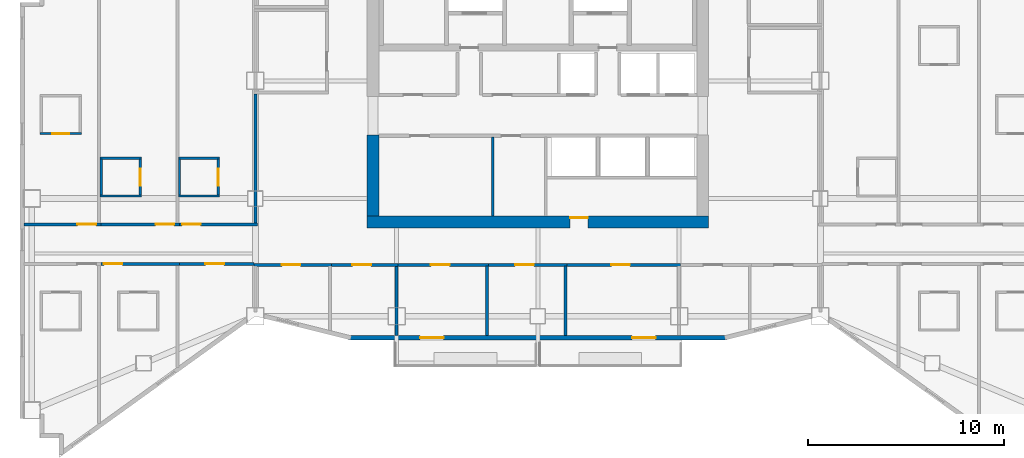
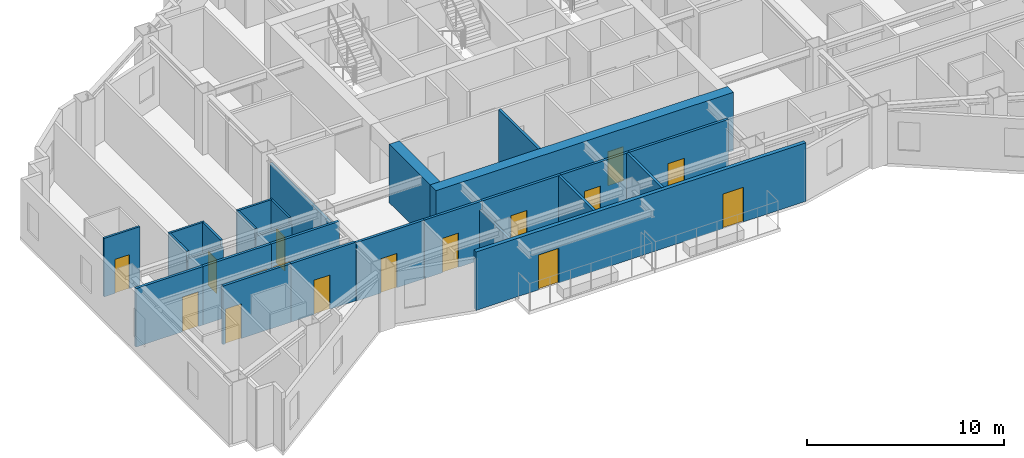
# One storey, part 5 of 11: 27 walls, 16 doors, 16 openings.
"""IFC4 building model written with IfcOpenShell, lengths in metres."""

import ifcopenshell
import ifcopenshell.guid

model = None  # the IFC model being written
_history = None  # IfcOwnerHistory: only IFC2X3 demands one
_inside = {}  # id of a spatial element -> (the spatial element, [elements in it])
_under = {}  # id of a project, library or spatial element -> (it, [spatial elements below it])
_declared = {}  # id of a project -> (the project, [libraries it declares])
_typed = {}  # id of a type object -> (the type object, [elements of that type])
_made_of = {}  # id of a material, layer set ... -> (it, [elements and type objects made of it])


def new_model(schema):
    """Start an empty IFC model of exactly this schema.

    Asked for "IFC4X3", IfcOpenShell would pick the latest addendum, in which some entities
    have other attributes; the version numbers below select the first issue.
    IFC2X3 requires an IfcOwnerHistory on every rooted entity: one is made here for all.
    """
    global model, _history
    if schema == "IFC4X3":
        model = ifcopenshell.file(schema_version=(4, 3, 0, 0))
    else:
        model = ifcopenshell.file(schema=schema)
    _inside.clear()
    _under.clear()
    _declared.clear()
    _typed.clear()
    _made_of.clear()
    _history = None
    if model.schema == "IFC2X3":
        org = make("IfcOrganization", Name="unknown")
        user = make(
            "IfcPersonAndOrganization",
            ThePerson=make("IfcPerson", FamilyName="unknown"),
            TheOrganization=org,
        )
        app = make(
            "IfcApplication",
            ApplicationDeveloper=org,
            Version="unknown",
            ApplicationFullName="unknown",
            ApplicationIdentifier="unknown",
        )
        _history = make(
            "IfcOwnerHistory",
            OwningUser=user,
            OwningApplication=app,
            ChangeAction="ADDED",
            CreationDate=0,
        )
    return model


def make(cls, **values):
    """One entity of the class cls with the attributes given. An attribute that is None is left unset."""
    return model.create_entity(
        cls, **{name: value for name, value in values.items() if value is not None}
    )


def rooted(cls, **values):
    """An entity with a GlobalId (a new one), such as an element, a storey or a relation."""
    return make(cls, GlobalId=ifcopenshell.guid.new(), OwnerHistory=_history, **values)


def si_unit(unit_type, name, prefix=None):
    """IfcSIUnit, for example si_unit("LENGTHUNIT", "METRE", prefix="MILLI")."""
    return make("IfcSIUnit", UnitType=unit_type, Prefix=prefix, Name=name)


def assignment(units):
    """IfcUnitAssignment: the units of a project."""
    return None if units is None else make("IfcUnitAssignment", Units=units)


def point(xyz):
    """IfcCartesianPoint."""
    return None if xyz is None else make("IfcCartesianPoint", Coordinates=xyz)


def direction(xyz):
    """IfcDirection."""
    return None if xyz is None else make("IfcDirection", DirectionRatios=xyz)


def frame(location, z_axis=None, x_axis=None):
    """IfcAxis2Placement3D, a coordinate frame: its origin and axes. An axis left out is left unset."""
    return make(
        "IfcAxis2Placement3D",
        Location=point(location),
        Axis=direction(z_axis),
        RefDirection=direction(x_axis),
    )


def frame_2d(location, x_axis=None):
    """IfcAxis2Placement2D, a coordinate frame in the plane: its origin and x axis."""
    return make(
        "IfcAxis2Placement2D", Location=point(location), RefDirection=direction(x_axis)
    )


def origin():
    """The frame at (0, 0, 0) with its axes left unset."""
    return frame((0.0, 0.0, 0.0))


def place(relative_to, where):
    """IfcLocalPlacement: puts the frame where relative to a parent placement (None: the world)."""
    return make(
        "IfcLocalPlacement", PlacementRelTo=relative_to, RelativePlacement=where
    )


def context(
    kind, dimensions, precision=None, world=None, true_north=None, identifier=None
):
    """IfcGeometricRepresentationContext, for example the 3D "Model" context."""
    return make(
        "IfcGeometricRepresentationContext",
        ContextIdentifier=identifier,
        ContextType=kind,
        CoordinateSpaceDimension=dimensions,
        Precision=precision,
        WorldCoordinateSystem=world,
        TrueNorth=true_north,
    )


def subcontext(parent, identifier, kind, view, scale=None):
    """IfcGeometricRepresentationSubContext, for example "Body" below "Model"."""
    return make(
        "IfcGeometricRepresentationSubContext",
        ContextIdentifier=identifier,
        ContextType=kind,
        ParentContext=parent,
        TargetScale=scale,
        TargetView=view,
    )


def project(units=None, contexts=None):
    """IfcProject with its units and contexts."""
    return rooted(
        "IfcProject",
        Name="project",
        RepresentationContexts=contexts,
        UnitsInContext=assignment(units),
    )


def spatial(cls, under=None, at=None, **own):
    """A site, building, storey or space (cls), placed at a placement, below another one or the project."""
    s = rooted(cls, ObjectPlacement=at, **own)
    if under is not None:
        _under.setdefault(under.id(), (under, []))[1].append(s)
    return s


def profile(cls, at=None, kind="AREA", **sizes):
    """A parametric profile (cls). Its sizes go by their IFC names, for example OverallWidth=200.0."""
    return make(cls, ProfileType=kind, Position=at, **sizes)


def rectangle(**sizes):
    """IfcRectangleProfileDef."""
    return profile("IfcRectangleProfileDef", **sizes)


def extrude(swept, where, along, depth):
    """IfcExtrudedAreaSolid: the profile swept, set in the frame where, extruded along a direction by depth."""
    return make(
        "IfcExtrudedAreaSolid",
        SweptArea=swept,
        Position=where,
        ExtrudedDirection=direction(along),
        Depth=depth,
    )


def shape(context_of_items, identifier, shape_type, items):
    """IfcShapeRepresentation: the items that make up one representation, for example the "Body"."""
    return make(
        "IfcShapeRepresentation",
        ContextOfItems=context_of_items,
        RepresentationIdentifier=identifier,
        RepresentationType=shape_type,
        Items=items,
    )


def material(Name=None, Category=None):
    """IfcMaterial."""
    return make("IfcMaterial", Name=Name, Category=Category)


def layer(
    of_material, thickness, ventilated=None, Name=None, Category=None, Priority=None
):
    """IfcMaterialLayer: one layer of a wall or slab, of a material (None: an air gap)."""
    return make(
        "IfcMaterialLayer",
        Material=of_material,
        LayerThickness=thickness,
        IsVentilated=ventilated,
        Name=Name,
        Category=Category,
        Priority=Priority,
    )


def layer_set(layers, Name=None):
    """IfcMaterialLayerSet."""
    return make("IfcMaterialLayerSet", MaterialLayers=layers, LayerSetName=Name)


def made_of(thing, what):
    """Note that an element or type object is made of a material, layer set ...; save() writes the relation."""
    if what is not None:
        _made_of.setdefault(what.id(), (what, []))[1].append(thing)
    return thing


def type_object(cls, material=None, **own):
    """A type object (cls), such as IfcWallType, which elements share."""
    return made_of(rooted(cls, **own), material)


def element(
    cls,
    number,
    at=None,
    inside=None,
    cuts=None,
    type_object=None,
    material=None,
    context=None,
    identifier="Body",
    shape_type=None,
    held_by="IfcProductDefinitionShape",
    body=None,
    shapes=None,
    **own,
):
    """One element of the class cls, such as IfcWall. Its Tag is "e" and its number.

    at: its placement. inside: the storey or other place that contains it. cuts: it is an
    opening in that element (IfcRelVoidsElement). A single representation is given by context,
    identifier, shape_type and body (its items); several are given by shapes. held_by: the class
    of the entity that holds the representations. save() writes the other relations.
    """
    e = rooted(cls, Tag="e%d" % number, ObjectPlacement=at, **own)
    if body is not None:
        shapes = [shape(context, identifier, shape_type, body)]
    if shapes is not None:
        e.Representation = make(held_by, Representations=shapes)
    if inside is not None:
        _inside.setdefault(inside.id(), (inside, []))[1].append(e)
    if cuts is not None:
        rooted(
            "IfcRelVoidsElement", RelatingBuildingElement=cuts, RelatedOpeningElement=e
        )
    if type_object is not None:
        _typed.setdefault(type_object.id(), (type_object, []))[1].append(e)
    return made_of(e, material)


def fill(opening, filler):
    """IfcRelFillsElement: the door or window that sits in an opening."""
    return rooted(
        "IfcRelFillsElement",
        RelatingOpeningElement=opening,
        RelatedBuildingElement=filler,
    )


def aggregate(whole, parts):
    """IfcRelAggregates: a whole, such as a stair, and the parts it consists of."""
    return rooted("IfcRelAggregates", RelatingObject=whole, RelatedObjects=parts)


def save(model, path):
    """Write the relations noted so far, then the file.

    IfcRelAggregates (storeys below a building ...), IfcRelContainedInSpatialStructure (elements
    in a storey), IfcRelDefinesByType, IfcRelAssociatesMaterial and IfcRelDeclares: one each for
    every whole, place, type object, material and project.
    """
    for whole, parts in _under.values():
        aggregate(whole, parts)
    for where, things in _inside.values():
        rooted(
            "IfcRelContainedInSpatialStructure",
            RelatedElements=things,
            RelatingStructure=where,
        )
    for kind, things in _typed.values():
        rooted("IfcRelDefinesByType", RelatedObjects=things, RelatingType=kind)
    for what, things in _made_of.values():
        rooted("IfcRelAssociatesMaterial", RelatedObjects=things, RelatingMaterial=what)
    for by, libraries in _declared.values():
        rooted("IfcRelDeclares", RelatingContext=by, RelatedDefinitions=libraries)
    model.write(path)


model = new_model("IFC4")

# Units and contexts
model_context = context("Model", 3, precision=1e-05, world=origin(), true_north=direction((0.0, 1.0)))
body_context = subcontext(model_context, "Body", "Model", "MODEL_VIEW")
ifc_project = project(units=[si_unit("LENGTHUNIT", "METRE"), si_unit("AREAUNIT", "SQUARE_METRE"), si_unit("VOLUMEUNIT", "CUBIC_METRE"), si_unit("PLANEANGLEUNIT", "RADIAN"), si_unit("MASSUNIT", "GRAM", prefix="KILO")], contexts=[model_context])

# Site, building, storey
site_placement = place(None, origin())
site = spatial("IfcSite", under=ifc_project, at=site_placement, CompositionType="ELEMENT")
building_placement = place(site_placement, origin())
building = spatial("IfcBuilding", under=site, at=building_placement, Name="Haolan Belvedere Tower", CompositionType="ELEMENT")
storey_placement = place(building_placement, frame((0.0, 0.0, 191.800048828125)))
storey = spatial("IfcBuildingStorey", under=building, at=storey_placement, Name="L48", CompositionType="ELEMENT", Elevation=191.800048828125)

# Wall, opening, door
ifc_material_1 = material(Name="Concrete C60/75", Category="concrete")
ifc_layer_1 = layer(ifc_material_1, 0.60009765625, Name="Concrete C60/75")
ifc_layer_set_1 = layer_set([ifc_layer_1], Name="Concrete C60/75")
wall_type_1 = type_object("IfcWallType", Name="WL-CORE-600", PredefinedType="SHEAR", material=ifc_layer_set_1)
wall_1_placement = place(storey_placement, frame((29.699951171875, 26.39990234375, 0.0), z_axis=(0.0, 0.0, 1.0), x_axis=(1.0, 0.0, 0.0)))
wall_1 = element("IfcWall", 1, at=wall_1_placement, inside=storey, type_object=wall_type_1, Name="L48 central core south shear wall", PredefinedType="SHEAR", context=body_context, shape_type="SweptSolid", body=[
    extrude(rectangle(XDim=17.400146484375, YDim=0.60009765625, at=frame_2d((8.7001953125, 0.0))), origin(), (0.0, 0.0, 1.0), 3.619873046875),
])
opening_1_placement = place(wall_1_placement, frame((11.25, 0.0, 0.0), z_axis=(0.0, 0.0, 1.0), x_axis=(-1.0, 0.0, 0.0)))
opening_1 = element("IfcOpeningElement", 2, at=opening_1_placement, cuts=wall_1, Name="Opening FD-05", PredefinedType="OPENING", context=body_context, shape_type="SweptSolid", body=[
    extrude(rectangle(XDim=0.89990234375, YDim=2.10009765625, at=frame_2d((0.449951171875, 1.050048828125))), frame((0.0, 0.31005859375, 0.0), z_axis=(0.0, -1.0, 0.0), x_axis=(1.0, 0.0, 0.0)), (0.0, 0.0, 1.0), 0.6201171875),
])
ifc_material_2 = material(Name="Galvanised fire-rated steel", Category="steel")
door_type_1 = type_object("IfcDoorType", Name="DR-FD60-900", OperationType="NOTDEFINED", PredefinedType="DOOR", material=ifc_material_2)
door_1_placement = place(opening_1_placement, origin())
door_1 = element("IfcDoor", 3, at=door_1_placement, inside=storey, type_object=door_type_1, Name="L48 door CD-L48-SCVE", OperationType="SINGLE_SWING_RIGHT", OverallHeight=2.10009765625, OverallWidth=0.89990234375, PredefinedType="DOOR", context=body_context, shape_type="SweptSolid", body=[
    extrude(rectangle(XDim=0.89990234375, YDim=2.10009765625, at=frame_2d((0.449951171875, 1.050048828125))), frame((0.0, -0.19482421875, 0.0), z_axis=(0.0, -1.0, 0.0), x_axis=(1.0, 0.0, 0.0)), (0.0, 0.0, 1.0), 0.050048828125),
])
fill(opening_1, door_1)

# Wall
wall_2_placement = place(storey_placement, frame((30.0, 26.699951171875, 0.0), z_axis=(0.0, 0.0, 1.0), x_axis=(0.0, 1.0, 0.0)))
element("IfcWall", 4, at=wall_2_placement, inside=storey, type_object=wall_type_1, Name="L48 central core shear wall WS", PredefinedType="SHEAR", context=body_context, shape_type="SweptSolid", body=[
    extrude(rectangle(XDim=4.150146484375, YDim=0.60009765625, at=frame_2d((2.0751953125, 0.0))), origin(), (0.0, 0.0, 1.0), 3.619873046875),
])

# Wall, openings, doors
ifc_material_3 = material(Name="Precast concrete C40/50", Category="concrete")
ifc_layer_2 = layer(ifc_material_3, 0.219970703125, Name="Precast concrete C40/50")
ifc_layer_set_2 = layer_set([ifc_layer_2], Name="Precast concrete C40/50")
wall_type_2 = type_object("IfcWallType", Name="WL-EXT-220", PredefinedType="SOLIDWALL", material=ifc_layer_set_2)
wall_3_placement = place(storey_placement, frame((28.758544921875, 20.510009765625, 0.0), z_axis=(0.0, 0.0, 1.0), x_axis=(1.0, 0.0, 0.0)))
wall_3 = element("IfcWall", 5, at=wall_3_placement, inside=storey, type_object=wall_type_2, Name="L48 pale-metal exterior spandrel wall 1.1", PredefinedType="SOLIDWALL", context=body_context, shape_type="SweptSolid", body=[
    extrude(rectangle(XDim=19.282958984375, YDim=0.219970703125, at=frame_2d((9.6416015625, 0.0))), origin(), (0.0, 0.0, 1.0), 3.619873046875),
])
opening_2_placement = place(wall_3_placement, frame((4.841552734375, 0.0, 0.0), z_axis=(0.0, 0.0, 1.0), x_axis=(-1.0, 0.0, 0.0)))
opening_2 = element("IfcOpeningElement", 6, at=opening_2_placement, cuts=wall_3, Name="Opening BD-01", PredefinedType="OPENING", context=body_context, shape_type="SweptSolid", body=[
    extrude(rectangle(XDim=1.199951171875, YDim=2.14990234375, at=frame_2d((0.60009765625, 1.074951171875))), frame((0.0, 0.119873046875, 0.0), z_axis=(0.0, -1.0, 0.0), x_axis=(1.0, 0.0, 0.0)), (0.0, 0.0, 1.0), 0.239990234375),
])
opening_3_placement = place(wall_3_placement, frame((15.641357421875, 0.0, 0.0), z_axis=(0.0, 0.0, 1.0), x_axis=(-1.0, 0.0, 0.0)))
opening_3 = element("IfcOpeningElement", 7, at=opening_3_placement, cuts=wall_3, Name="Opening BD-01", PredefinedType="OPENING", context=body_context, shape_type="SweptSolid", body=[
    extrude(rectangle(XDim=1.199951171875, YDim=2.14990234375, at=frame_2d((0.60009765625, 1.074951171875))), frame((0.0, 0.119873046875, 0.0), z_axis=(0.0, -1.0, 0.0), x_axis=(1.0, 0.0, 0.0)), (0.0, 0.0, 1.0), 0.239990234375),
])
ifc_material_4 = material(Name="Thermally broken pale-metal aluminium and Low-E glass", Category="aluminium")
door_type_2 = type_object("IfcDoorType", Name="DR-BAL-1200", OperationType="NOTDEFINED", PredefinedType="DOOR", material=ifc_material_4)
door_2_placement = place(opening_2_placement, origin())
door_2 = element("IfcDoor", 8, at=door_2_placement, inside=storey, type_object=door_type_2, Name="L48 tree-balcony access door 1", OperationType="SINGLE_SWING_RIGHT", OverallHeight=2.14990234375, OverallWidth=1.199951171875, PredefinedType="DOOR", context=body_context, shape_type="SweptSolid", body=[
    extrude(rectangle(XDim=1.199951171875, YDim=2.14990234375, at=frame_2d((0.60009765625, 1.074951171875))), frame((0.0, 0.02490234375, 0.0), z_axis=(0.0, -1.0, 0.0), x_axis=(1.0, 0.0, 0.0)), (0.0, 0.0, 1.0), 0.050048828125),
])
fill(opening_2, door_2)
door_3_placement = place(opening_3_placement, origin())
door_3 = element("IfcDoor", 9, at=door_3_placement, inside=storey, type_object=door_type_2, Name="L48 tree-balcony access door 2", OperationType="SINGLE_SWING_LEFT", OverallHeight=2.14990234375, OverallWidth=1.199951171875, PredefinedType="DOOR", context=body_context, shape_type="SweptSolid", body=[
    extrude(rectangle(XDim=1.199951171875, YDim=2.14990234375, at=frame_2d((0.60009765625, 1.074951171875))), frame((0.0, 0.02490234375, 0.0), z_axis=(0.0, -1.0, 0.0), x_axis=(1.0, 0.0, 0.0)), (0.0, 0.0, 1.0), 0.050048828125),
])
fill(opening_3, door_3)

# Wall
ifc_material_5 = material(Name="Double gypsum acoustic stud partition", Category="masonry")
ifc_layer_3 = layer(ifc_material_5, 0.14990234375, Name="Double gypsum acoustic stud partition")
ifc_layer_set_3 = layer_set([ifc_layer_3], Name="Double gypsum acoustic stud partition")
wall_type_3 = type_object("IfcWallType", Name="WL-PART-150", PredefinedType="PARTITIONING", material=ifc_layer_set_3)
wall_4_placement = place(storey_placement, frame((36.10009765625, 26.7099609375, 0.0), z_axis=(0.0, 0.0, 1.0), x_axis=(0.0, 1.0, 0.0)))
element("IfcWall", 10, at=wall_4_placement, inside=storey, type_object=wall_type_3, Name="L48 interior partition IW-L48-DIV-REUSE-PM", PredefinedType="PARTITIONING", context=body_context, shape_type="SweptSolid", body=[
    extrude(rectangle(XDim=4.025146484375, YDim=0.14990234375, at=frame_2d((2.0126953125, 0.0))), origin(), (0.0, 0.0, 1.0), 3.619873046875),
])

# Wall, opening, door
wall_5_placement = place(storey_placement, frame((23.919921875, 24.219970703125, 0.0), z_axis=(0.0, 0.0, 1.0), x_axis=(1.0, 0.0, 0.0)))
wall_5 = element("IfcWall", 11, at=wall_5_placement, inside=storey, type_object=wall_type_3, Name="L48 interior partition IW-L48-KS1-N", PredefinedType="PARTITIONING", context=body_context, shape_type="SweptSolid", body=[
    extrude(rectangle(XDim=3.9599609375, YDim=0.14990234375, at=frame_2d((1.97998046875, 0.0))), origin(), (0.0, 0.0, 1.0), 3.619873046875),
])
opening_4_placement = place(wall_5_placement, frame((2.375, 0.0, 0.0), z_axis=(0.0, 0.0, 1.0), x_axis=(-1.0, 0.0, 0.0)))
opening_4 = element("IfcOpeningElement", 12, at=opening_4_placement, cuts=wall_5, Name="Opening ID-03", PredefinedType="OPENING", context=body_context, shape_type="SweptSolid", body=[
    extrude(rectangle(XDim=0.949951171875, YDim=2.1201171875, at=frame_2d((0.47509765625, 1.06005859375))), frame((0.0, 0.0849609375, 0.0), z_axis=(0.0, -1.0, 0.0), x_axis=(1.0, 0.0, 0.0)), (0.0, 0.0, 1.0), 0.169921875),
])
ifc_material_6 = material(Name="Painted solid-core timber", Category="wood")
door_type_3 = type_object("IfcDoorType", Name="DR-INT-950", OperationType="NOTDEFINED", PredefinedType="DOOR", material=ifc_material_6)
door_4_placement = place(opening_4_placement, origin())
door_4 = element("IfcDoor", 13, at=door_4_placement, inside=storey, type_object=door_type_3, Name="L48 door ID-L48-KS1", OperationType="SINGLE_SWING_RIGHT", OverallHeight=2.1201171875, OverallWidth=0.949951171875, PredefinedType="DOOR", context=body_context, shape_type="SweptSolid", body=[
    extrude(rectangle(XDim=0.949951171875, YDim=2.1201171875, at=frame_2d((0.47509765625, 1.06005859375))), frame((0.0, 0.02490234375, 0.0), z_axis=(0.0, -1.0, 0.0), x_axis=(1.0, 0.0, 0.0)), (0.0, 0.0, 1.0), 0.050048828125),
])
fill(opening_4, door_4)

wall_6_placement = place(storey_placement, frame((27.882080078125, 24.219970703125, 0.0), z_axis=(0.0, 0.0, 1.0), x_axis=(1.0, 0.0, 0.0)))
wall_6 = element("IfcWall", 14, at=wall_6_placement, inside=storey, type_object=wall_type_3, Name="L48 interior partition IW-L48-KS2-N", PredefinedType="PARTITIONING", context=body_context, shape_type="SweptSolid", body=[
    extrude(rectangle(XDim=3.39794921875, YDim=0.14990234375, at=frame_2d((1.698974609375, 0.0))), origin(), (0.0, 0.0, 1.0), 3.619873046875),
])
opening_5_placement = place(wall_6_placement, frame((2.012939453125, 0.0, 0.0), z_axis=(0.0, 0.0, 1.0), x_axis=(-1.0, 0.0, 0.0)))
opening_5 = element("IfcOpeningElement", 15, at=opening_5_placement, cuts=wall_6, Name="Opening ID-03", PredefinedType="OPENING", context=body_context, shape_type="SweptSolid", body=[
    extrude(rectangle(XDim=0.949951171875, YDim=2.1201171875, at=frame_2d((0.47509765625, 1.06005859375))), frame((0.0, 0.0849609375, 0.0), z_axis=(0.0, -1.0, 0.0), x_axis=(1.0, 0.0, 0.0)), (0.0, 0.0, 1.0), 0.169921875),
])
door_5_placement = place(opening_5_placement, origin())
door_5 = element("IfcDoor", 16, at=door_5_placement, inside=storey, type_object=door_type_3, Name="L48 door ID-L48-KS2", OperationType="SINGLE_SWING_LEFT", OverallHeight=2.1201171875, OverallWidth=0.949951171875, PredefinedType="DOOR", context=body_context, shape_type="SweptSolid", body=[
    extrude(rectangle(XDim=0.949951171875, YDim=2.1201171875, at=frame_2d((0.47509765625, 1.06005859375))), frame((0.0, 0.02490234375, 0.0), z_axis=(0.0, -1.0, 0.0), x_axis=(1.0, 0.0, 0.0)), (0.0, 0.0, 1.0), 0.050048828125),
])
fill(opening_5, door_5)

# Wall
wall_7_placement = place(storey_placement, frame((31.199951171875, 20.612060546875, 0.0), z_axis=(0.0, 0.0, 1.0), x_axis=(0.0, 1.0, 0.0)))
element("IfcWall", 17, at=wall_7_placement, inside=storey, type_object=wall_type_3, Name="L48 interior partition IW-L48-KS2-E", PredefinedType="PARTITIONING", context=body_context, shape_type="SweptSolid", body=[
    extrude(rectangle(XDim=3.5478515625, YDim=0.14990234375, at=frame_2d((1.77392578125, 0.0))), origin(), (0.0, 0.0, 1.0), 3.10498046875),
])

# Wall, opening, door
wall_8_placement = place(storey_placement, frame((31.281982421875, 24.219970703125, 0.0), z_axis=(0.0, 0.0, 1.0), x_axis=(1.0, 0.0, 0.0)))
wall_8 = element("IfcWall", 18, at=wall_8_placement, inside=storey, type_object=wall_type_3, Name="L48 interior partition IW-L48-KS3-N", PredefinedType="PARTITIONING", context=body_context, shape_type="SweptSolid", body=[
    extrude(rectangle(XDim=4.597900390625, YDim=0.14990234375, at=frame_2d((2.298828125, 0.0))), origin(), (0.0, 0.0, 1.0), 3.619873046875),
])
opening_6_placement = place(wall_8_placement, frame((2.613037109375, 0.0, 0.0), z_axis=(0.0, 0.0, 1.0), x_axis=(-1.0, 0.0, 0.0)))
opening_6 = element("IfcOpeningElement", 19, at=opening_6_placement, cuts=wall_8, Name="Opening ID-03", PredefinedType="OPENING", context=body_context, shape_type="SweptSolid", body=[
    extrude(rectangle(XDim=0.949951171875, YDim=2.1201171875, at=frame_2d((0.47509765625, 1.06005859375))), frame((0.0, 0.0849609375, 0.0), z_axis=(0.0, -1.0, 0.0), x_axis=(1.0, 0.0, 0.0)), (0.0, 0.0, 1.0), 0.169921875),
])
door_6_placement = place(opening_6_placement, origin())
door_6 = element("IfcDoor", 20, at=door_6_placement, inside=storey, type_object=door_type_3, Name="L48 door ID-L48-KS3", OperationType="SINGLE_SWING_RIGHT", OverallHeight=2.1201171875, OverallWidth=0.949951171875, PredefinedType="DOOR", context=body_context, shape_type="SweptSolid", body=[
    extrude(rectangle(XDim=0.949951171875, YDim=2.1201171875, at=frame_2d((0.47509765625, 1.06005859375))), frame((0.0, 0.02490234375, 0.0), z_axis=(0.0, -1.0, 0.0), x_axis=(1.0, 0.0, 0.0)), (0.0, 0.0, 1.0), 0.050048828125),
])
fill(opening_6, door_6)

# Wall
wall_9_placement = place(storey_placement, frame((35.800048828125, 20.612060546875, 0.0), z_axis=(0.0, 0.0, 1.0), x_axis=(0.0, 1.0, 0.0)))
element("IfcWall", 21, at=wall_9_placement, inside=storey, type_object=wall_type_3, Name="L48 interior partition IW-L48-KS3-E", PredefinedType="PARTITIONING", context=body_context, shape_type="SweptSolid", body=[
    extrude(rectangle(XDim=3.5478515625, YDim=0.14990234375, at=frame_2d((1.77392578125, 0.0))), origin(), (0.0, 0.0, 1.0), 3.619873046875),
])

# Wall, opening, door
wall_10_placement = place(storey_placement, frame((35.882080078125, 24.219970703125, 0.0), z_axis=(0.0, 0.0, 1.0), x_axis=(1.0, 0.0, 0.0)))
wall_10 = element("IfcWall", 22, at=wall_10_placement, inside=storey, type_object=wall_type_3, Name="L48 interior partition IW-L48-KS4-N", PredefinedType="PARTITIONING", context=body_context, shape_type="SweptSolid", body=[
    extrude(rectangle(XDim=3.997802734375, YDim=0.14990234375, at=frame_2d((1.9990234375, 0.0))), origin(), (0.0, 0.0, 1.0), 3.619873046875),
])
opening_7_placement = place(wall_10_placement, frame((2.31298828125, 0.0, 0.0), z_axis=(0.0, 0.0, 1.0), x_axis=(-1.0, 0.0, 0.0)))
opening_7 = element("IfcOpeningElement", 23, at=opening_7_placement, cuts=wall_10, Name="Opening ID-03", PredefinedType="OPENING", context=body_context, shape_type="SweptSolid", body=[
    extrude(rectangle(XDim=0.949951171875, YDim=2.1201171875, at=frame_2d((0.47509765625, 1.06005859375))), frame((0.0, 0.0849609375, 0.0), z_axis=(0.0, -1.0, 0.0), x_axis=(1.0, 0.0, 0.0)), (0.0, 0.0, 1.0), 0.169921875),
])
door_7_placement = place(opening_7_placement, origin())
door_7 = element("IfcDoor", 24, at=door_7_placement, inside=storey, type_object=door_type_3, Name="L48 door ID-L48-KS4", OperationType="SINGLE_SWING_LEFT", OverallHeight=2.1201171875, OverallWidth=0.949951171875, PredefinedType="DOOR", context=body_context, shape_type="SweptSolid", body=[
    extrude(rectangle(XDim=0.949951171875, YDim=2.1201171875, at=frame_2d((0.47509765625, 1.06005859375))), frame((0.0, 0.02490234375, 0.0), z_axis=(0.0, -1.0, 0.0), x_axis=(1.0, 0.0, 0.0)), (0.0, 0.0, 1.0), 0.050048828125),
])
fill(opening_7, door_7)

# Wall
wall_11_placement = place(storey_placement, frame((39.800048828125, 20.612060546875, 0.0), z_axis=(0.0, 0.0, 1.0), x_axis=(0.0, 1.0, 0.0)))
element("IfcWall", 25, at=wall_11_placement, inside=storey, type_object=wall_type_3, Name="L48 interior partition IW-L48-KS4-E", PredefinedType="PARTITIONING", context=body_context, shape_type="SweptSolid", body=[
    extrude(rectangle(XDim=3.5478515625, YDim=0.14990234375, at=frame_2d((1.77392578125, 0.0))), origin(), (0.0, 0.0, 1.0), 3.619873046875),
])

# Wall, opening, door
wall_12_placement = place(storey_placement, frame((39.882080078125, 24.219970703125, 0.0), z_axis=(0.0, 0.0, 1.0), x_axis=(1.0, 0.0, 0.0)))
wall_12 = element("IfcWall", 26, at=wall_12_placement, inside=storey, type_object=wall_type_3, Name="L48 interior partition IW-L48-KS5-N", PredefinedType="PARTITIONING", context=body_context, shape_type="SweptSolid", body=[
    extrude(rectangle(XDim=5.7978515625, YDim=0.14990234375, at=frame_2d((2.89892578125, 0.0))), origin(), (0.0, 0.0, 1.0), 3.619873046875),
])
opening_8_placement = place(wall_12_placement, frame((3.212890625, 0.0, 0.0), z_axis=(0.0, 0.0, 1.0), x_axis=(-1.0, 0.0, 0.0)))
opening_8 = element("IfcOpeningElement", 27, at=opening_8_placement, cuts=wall_12, Name="Opening ID-03", PredefinedType="OPENING", context=body_context, shape_type="SweptSolid", body=[
    extrude(rectangle(XDim=0.949951171875, YDim=2.1201171875, at=frame_2d((0.47509765625, 1.06005859375))), frame((0.0, 0.0849609375, 0.0), z_axis=(0.0, -1.0, 0.0), x_axis=(1.0, 0.0, 0.0)), (0.0, 0.0, 1.0), 0.169921875),
])
door_8_placement = place(opening_8_placement, origin())
door_8 = element("IfcDoor", 28, at=door_8_placement, inside=storey, type_object=door_type_3, Name="L48 door ID-L48-KS5", OperationType="SINGLE_SWING_RIGHT", OverallHeight=2.1201171875, OverallWidth=0.949951171875, PredefinedType="DOOR", context=body_context, shape_type="SweptSolid", body=[
    extrude(rectangle(XDim=0.949951171875, YDim=2.1201171875, at=frame_2d((0.47509765625, 1.06005859375))), frame((0.0, 0.02490234375, 0.0), z_axis=(0.0, -1.0, 0.0), x_axis=(1.0, 0.0, 0.0)), (0.0, 0.0, 1.0), 0.050048828125),
])
fill(opening_8, door_8)

wall_13_placement = place(storey_placement, frame((12.2119140625, 26.280029296875, 0.0), z_axis=(0.0, 0.0, 1.0), x_axis=(1.0, 0.0, 0.0)))
wall_13 = element("IfcWall", 29, at=wall_13_placement, inside=storey, type_object=wall_type_3, Name="L48 interior partition IW-L48-T2N1-S", PredefinedType="PARTITIONING", context=body_context, shape_type="SweptSolid", body=[
    extrude(rectangle(XDim=3.91796875, YDim=0.14990234375, at=frame_2d((1.958984375, 0.0))), origin(), (0.0, 0.0, 1.0), 3.619873046875),
])
opening_9_placement = place(wall_13_placement, frame((2.71337890625, 0.0, 0.0)))
opening_9 = element("IfcOpeningElement", 30, at=opening_9_placement, cuts=wall_13, Name="Opening ID-02", PredefinedType="OPENING", context=body_context, shape_type="SweptSolid", body=[
    extrude(rectangle(XDim=0.949951171875, YDim=2.14990234375, at=frame_2d((0.47509765625, 1.074951171875))), frame((0.0, 0.0849609375, 0.0), z_axis=(0.0, -1.0, 0.0), x_axis=(1.0, 0.0, 0.0)), (0.0, 0.0, 1.0), 0.169921875),
])
ifc_material_7 = material(Name="Acoustic oak veneer fire-rated timber", Category="wood")
door_type_4 = type_object("IfcDoorType", Name="DR-GUEST-950", OperationType="NOTDEFINED", PredefinedType="DOOR", material=ifc_material_7)
door_9_placement = place(opening_9_placement, origin())
door_9 = element("IfcDoor", 31, at=door_9_placement, inside=storey, type_object=door_type_4, Name="L48 door ID-L48-T2N1-ENT", OperationType="SINGLE_SWING_LEFT", OverallHeight=2.14990234375, OverallWidth=0.949951171875, PredefinedType="DOOR", context=body_context, shape_type="SweptSolid", body=[
    extrude(rectangle(XDim=0.949951171875, YDim=2.14990234375, at=frame_2d((0.47509765625, 1.074951171875))), frame((0.0, 0.02490234375, 0.0), z_axis=(0.0, -1.0, 0.0), x_axis=(1.0, 0.0, 0.0)), (0.0, 0.0, 1.0), 0.050048828125),
])
fill(opening_9, door_9)

wall_14_placement = place(storey_placement, frame((16.132080078125, 26.280029296875, 0.0), z_axis=(0.0, 0.0, 1.0), x_axis=(1.0, 0.0, 0.0)))
wall_14 = element("IfcWall", 32, at=wall_14_placement, inside=storey, type_object=wall_type_3, Name="L48 interior partition IW-L48-T2N2-S", PredefinedType="PARTITIONING", context=body_context, shape_type="SweptSolid", body=[
    extrude(rectangle(XDim=3.988037109375, YDim=0.14990234375, at=frame_2d((1.994140625, 0.0))), origin(), (0.0, 0.0, 1.0), 3.619873046875),
])
opening_10_placement = place(wall_14_placement, frame((2.781005859375, 0.0, 0.0)))
opening_10 = element("IfcOpeningElement", 33, at=opening_10_placement, cuts=wall_14, Name="Opening ID-01", PredefinedType="OPENING", context=body_context, shape_type="SweptSolid", body=[
    extrude(rectangle(XDim=0.949951171875, YDim=2.179931640625, at=frame_2d((0.47509765625, 1.08984375))), frame((0.0, 0.0849609375, 0.0), z_axis=(0.0, -1.0, 0.0), x_axis=(1.0, 0.0, 0.0)), (0.0, 0.0, 1.0), 0.169921875),
])
ifc_material_8 = material(Name="Acoustic walnut veneer fire-rated timber", Category="wood")
door_type_5 = type_object("IfcDoorType", Name="DR-SUITE-950", OperationType="NOTDEFINED", PredefinedType="DOOR", material=ifc_material_8)
door_10_placement = place(opening_10_placement, origin())
door_10 = element("IfcDoor", 34, at=door_10_placement, inside=storey, type_object=door_type_5, Name="L48 door ID-L48-T2N2-ENT", OperationType="SINGLE_SWING_RIGHT", OverallHeight=2.179931640625, OverallWidth=0.949951171875, PredefinedType="DOOR", context=body_context, shape_type="SweptSolid", body=[
    extrude(rectangle(XDim=0.949951171875, YDim=2.179931640625, at=frame_2d((0.47509765625, 1.08984375))), frame((0.0, 0.02490234375, 0.0), z_axis=(0.0, -1.0, 0.0), x_axis=(1.0, 0.0, 0.0)), (0.0, 0.0, 1.0), 0.050048828125),
])
fill(opening_10, door_10)

wall_15_placement = place(storey_placement, frame((20.1220703125, 26.280029296875, 0.0), z_axis=(0.0, 0.0, 1.0), x_axis=(1.0, 0.0, 0.0)))
wall_15 = element("IfcWall", 35, at=wall_15_placement, inside=storey, type_object=wall_type_3, Name="L48 interior partition IW-L48-T2N3-S", PredefinedType="PARTITIONING", context=body_context, shape_type="SweptSolid", body=[
    extrude(rectangle(XDim=3.97802734375, YDim=0.14990234375, at=frame_2d((1.989013671875, 0.0))), origin(), (0.0, 0.0, 1.0), 3.619873046875),
])
opening_11_placement = place(wall_15_placement, frame((0.139892578125, 0.0, 0.0)))
opening_11 = element("IfcOpeningElement", 36, at=opening_11_placement, cuts=wall_15, Name="Opening ID-01", PredefinedType="OPENING", context=body_context, shape_type="SweptSolid", body=[
    extrude(rectangle(XDim=0.949951171875, YDim=2.179931640625, at=frame_2d((0.47509765625, 1.08984375))), frame((0.0, 0.0849609375, 0.0), z_axis=(0.0, -1.0, 0.0), x_axis=(1.0, 0.0, 0.0)), (0.0, 0.0, 1.0), 0.169921875),
])
door_11_placement = place(opening_11_placement, origin())
door_11 = element("IfcDoor", 37, at=door_11_placement, inside=storey, type_object=door_type_5, Name="L48 door ID-L48-T2N3-ENT", OperationType="SINGLE_SWING_LEFT", OverallHeight=2.179931640625, OverallWidth=0.949951171875, PredefinedType="DOOR", context=body_context, shape_type="SweptSolid", body=[
    extrude(rectangle(XDim=0.949951171875, YDim=2.179931640625, at=frame_2d((0.47509765625, 1.08984375))), frame((0.0, 0.02490234375, 0.0), z_axis=(0.0, -1.0, 0.0), x_axis=(1.0, 0.0, 0.0)), (0.0, 0.0, 1.0), 0.050048828125),
])
fill(opening_11, door_11)

# Wall
wall_16_placement = place(storey_placement, frame((24.0, 26.340087890625, 0.0), z_axis=(0.0, 0.0, 1.0), x_axis=(0.0, 1.0, 0.0)))
element("IfcWall", 38, at=wall_16_placement, inside=storey, type_object=wall_type_3, Name="L48 interior partition IW-L48-T2N3-E", PredefinedType="PARTITIONING", context=body_context, shape_type="SweptSolid", body=[
    extrude(rectangle(XDim=6.599853515625, YDim=0.14990234375, at=frame_2d((3.2998046875, 0.0))), origin(), (0.0, 0.0, 1.0), 3.21484375),
])

# Wall, opening, door
wall_17_placement = place(storey_placement, frame((16.132080078125, 24.27001953125, 0.0), z_axis=(0.0, 0.0, 1.0), x_axis=(1.0, 0.0, 0.0)))
wall_17 = element("IfcWall", 39, at=wall_17_placement, inside=storey, type_object=wall_type_3, Name="L48 interior partition IW-L48-T2S2-N", PredefinedType="PARTITIONING", context=body_context, shape_type="SweptSolid", body=[
    extrude(rectangle(XDim=3.988037109375, YDim=0.14990234375, at=frame_2d((1.994140625, 0.0))), origin(), (0.0, 0.0, 1.0), 3.619873046875),
])
opening_12_placement = place(wall_17_placement, frame((1.08984375, 0.0, 0.0), z_axis=(0.0, 0.0, 1.0), x_axis=(-1.0, 0.0, 0.0)))
opening_12 = element("IfcOpeningElement", 40, at=opening_12_placement, cuts=wall_17, Name="Opening ID-02", PredefinedType="OPENING", context=body_context, shape_type="SweptSolid", body=[
    extrude(rectangle(XDim=0.949951171875, YDim=2.14990234375, at=frame_2d((0.47509765625, 1.074951171875))), frame((0.0, 0.0849609375, 0.0), z_axis=(0.0, -1.0, 0.0), x_axis=(1.0, 0.0, 0.0)), (0.0, 0.0, 1.0), 0.169921875),
])
door_12_placement = place(opening_12_placement, origin())
door_12 = element("IfcDoor", 41, at=door_12_placement, inside=storey, type_object=door_type_4, Name="L48 door ID-L48-T2S2-ENT", OperationType="SINGLE_SWING_LEFT", OverallHeight=2.14990234375, OverallWidth=0.949951171875, PredefinedType="DOOR", context=body_context, shape_type="SweptSolid", body=[
    extrude(rectangle(XDim=0.949951171875, YDim=2.14990234375, at=frame_2d((0.47509765625, 1.074951171875))), frame((0.0, 0.02490234375, 0.0), z_axis=(0.0, -1.0, 0.0), x_axis=(1.0, 0.0, 0.0)), (0.0, 0.0, 1.0), 0.050048828125),
])
fill(opening_12, door_12)

wall_18_placement = place(storey_placement, frame((20.1220703125, 24.27001953125, 0.0), z_axis=(0.0, 0.0, 1.0), x_axis=(1.0, 0.0, 0.0)))
wall_18 = element("IfcWall", 42, at=wall_18_placement, inside=storey, type_object=wall_type_3, Name="L48 interior partition IW-L48-T2S3-N", PredefinedType="PARTITIONING", context=body_context, shape_type="SweptSolid", body=[
    extrude(rectangle(XDim=3.7958984375, YDim=0.14990234375, at=frame_2d((1.89794921875, 0.0))), origin(), (0.0, 0.0, 1.0), 3.619873046875),
])
opening_13_placement = place(wall_18_placement, frame((2.282958984375, 0.0, 0.0), z_axis=(0.0, 0.0, 1.0), x_axis=(-1.0, 0.0, 0.0)))
opening_13 = element("IfcOpeningElement", 43, at=opening_13_placement, cuts=wall_18, Name="Opening ID-03", PredefinedType="OPENING", context=body_context, shape_type="SweptSolid", body=[
    extrude(rectangle(XDim=0.949951171875, YDim=2.1201171875, at=frame_2d((0.47509765625, 1.06005859375))), frame((0.0, 0.0849609375, 0.0), z_axis=(0.0, -1.0, 0.0), x_axis=(1.0, 0.0, 0.0)), (0.0, 0.0, 1.0), 0.169921875),
])
door_13_placement = place(opening_13_placement, origin())
door_13 = element("IfcDoor", 44, at=door_13_placement, inside=storey, type_object=door_type_3, Name="L48 door ID-L48-T2S3", OperationType="SINGLE_SWING_RIGHT", OverallHeight=2.1201171875, OverallWidth=0.949951171875, PredefinedType="DOOR", context=body_context, shape_type="SweptSolid", body=[
    extrude(rectangle(XDim=0.949951171875, YDim=2.1201171875, at=frame_2d((0.47509765625, 1.06005859375))), frame((0.0, 0.02490234375, 0.0), z_axis=(0.0, -1.0, 0.0), x_axis=(1.0, 0.0, 0.0)), (0.0, 0.0, 1.0), 0.050048828125),
])
fill(opening_13, door_13)

ifc_material_9 = material(Name="Moisture-resistant gypsum tile partition", Category="masonry")
ifc_layer_4 = layer(ifc_material_9, 0.1201171875, Name="Moisture-resistant gypsum tile partition")
ifc_layer_set_4 = layer_set([ifc_layer_4], Name="Moisture-resistant gypsum tile partition")
wall_type_4 = type_object("IfcWallType", Name="WL-WET-120", PredefinedType="PARTITIONING", material=ifc_layer_set_4)
wall_19_placement = place(storey_placement, frame((13.030029296875, 30.9150390625, 0.0), z_axis=(0.0, 0.0, 1.0), x_axis=(1.0, 0.0, 0.0)))
wall_19 = element("IfcWall", 45, at=wall_19_placement, inside=storey, type_object=wall_type_4, Name="L48 interior partition IW-L48-T2N1-BS", PredefinedType="PARTITIONING", context=body_context, shape_type="SweptSolid", body=[
    extrude(rectangle(XDim=2.099853515625, YDim=0.1201171875, at=frame_2d((1.0498046875, 0.0))), origin(), (0.0, 0.0, 1.0), 3.619873046875),
])
opening_14_placement = place(wall_19_placement, frame((0.625, 0.0, 0.0)))
opening_14 = element("IfcOpeningElement", 46, at=opening_14_placement, cuts=wall_19, Name="Opening ID-05", PredefinedType="OPENING", context=body_context, shape_type="SweptSolid", body=[
    extrude(rectangle(XDim=0.85009765625, YDim=2.10009765625, at=frame_2d((0.425048828125, 1.050048828125))), frame((0.0, 0.070068359375, 0.0), z_axis=(0.0, -1.0, 0.0), x_axis=(1.0, 0.0, 0.0)), (0.0, 0.0, 1.0), 0.14013671875),
])
ifc_material_10 = material(Name="Moisture-resistant lacquered timber", Category="wood")
door_type_6 = type_object("IfcDoorType", Name="DR-BATH-850", OperationType="NOTDEFINED", PredefinedType="DOOR", material=ifc_material_10)
door_14_placement = place(opening_14_placement, origin())
door_14 = element("IfcDoor", 47, at=door_14_placement, inside=storey, type_object=door_type_6, Name="L48 door ID-L48-T2N1-BATH", OperationType="SINGLE_SWING_RIGHT", OverallHeight=2.10009765625, OverallWidth=0.85009765625, PredefinedType="DOOR", context=body_context, shape_type="SweptSolid", body=[
    extrude(rectangle(XDim=0.85009765625, YDim=2.10009765625, at=frame_2d((0.425048828125, 1.050048828125))), frame((0.0, 0.02490234375, 0.0), z_axis=(0.0, -1.0, 0.0), x_axis=(1.0, 0.0, 0.0)), (0.0, 0.0, 1.0), 0.050048828125),
])
fill(opening_14, door_14)

# Walls
wall_20_placement = place(storey_placement, frame((16.090087890625, 29.64990234375, 0.0), z_axis=(0.0, 0.0, 1.0), x_axis=(1.0, 0.0, 0.0)))
element("IfcWall", 48, at=wall_20_placement, inside=storey, type_object=wall_type_4, Name="L48 interior partition IW-L48-T2N2-BN", PredefinedType="PARTITIONING", context=body_context, shape_type="SweptSolid", body=[
    extrude(rectangle(XDim=2.09130859375, YDim=0.1201171875, at=frame_2d((1.045654296875, 0.0))), origin(), (0.0, 0.0, 1.0), 3.619873046875),
])
wall_21_placement = place(storey_placement, frame((16.090087890625, 27.72998046875, 0.0), z_axis=(0.0, 0.0, 1.0), x_axis=(1.0, 0.0, 0.0)))
element("IfcWall", 49, at=wall_21_placement, inside=storey, type_object=wall_type_4, Name="L48 interior partition IW-L48-T2N2-BS", PredefinedType="PARTITIONING", context=body_context, shape_type="SweptSolid", body=[
    extrude(rectangle(XDim=2.09130859375, YDim=0.1201171875, at=frame_2d((1.045654296875, 0.0))), origin(), (0.0, 0.0, 1.0), 3.21484375),
])
wall_22_placement = place(storey_placement, frame((16.141357421875, 27.77490234375, 0.0), z_axis=(0.0, 0.0, 1.0), x_axis=(0.0, 1.0, 0.0)))
element("IfcWall", 50, at=wall_22_placement, inside=storey, type_object=wall_type_4, Name="L48 interior partition IW-L48-T2N2-BW", PredefinedType="PARTITIONING", context=body_context, shape_type="SweptSolid", body=[
    extrude(rectangle(XDim=1.830078125, YDim=0.1201171875, at=frame_2d((0.9150390625, 0.0))), origin(), (0.0, 0.0, 1.0), 3.619873046875),
])

# Wall, opening, door
wall_23_placement = place(storey_placement, frame((18.121337890625, 27.77490234375, 0.0), z_axis=(0.0, 0.0, 1.0), x_axis=(0.0, 1.0, 0.0)))
wall_23 = element("IfcWall", 51, at=wall_23_placement, inside=storey, type_object=wall_type_4, Name="L48 interior partition IW-L48-T2N2-BE", PredefinedType="PARTITIONING", context=body_context, shape_type="SweptSolid", body=[
    extrude(rectangle(XDim=1.830078125, YDim=0.1201171875, at=frame_2d((0.9150390625, 0.0))), origin(), (0.0, 0.0, 1.0), 3.619873046875),
])
opening_15_placement = place(wall_23_placement, frame((0.489990234375, 0.0, 0.0)))
opening_15 = element("IfcOpeningElement", 52, at=opening_15_placement, cuts=wall_23, Name="Opening ID-05", PredefinedType="OPENING", context=body_context, shape_type="SweptSolid", body=[
    extrude(rectangle(XDim=0.85009765625, YDim=2.10009765625, at=frame_2d((0.425048828125, 1.050048828125))), frame((0.0, 0.070068359375, 0.0), z_axis=(0.0, -1.0, 0.0), x_axis=(1.0, 0.0, 0.0)), (0.0, 0.0, 1.0), 0.14013671875),
])
door_15_placement = place(opening_15_placement, origin())
door_15 = element("IfcDoor", 53, at=door_15_placement, inside=storey, type_object=door_type_6, Name="L48 door ID-L48-T2N2-BATH", OperationType="SINGLE_SWING_LEFT", OverallHeight=2.10009765625, OverallWidth=0.85009765625, PredefinedType="DOOR", context=body_context, shape_type="SweptSolid", body=[
    extrude(rectangle(XDim=0.85009765625, YDim=2.10009765625, at=frame_2d((0.425048828125, 1.050048828125))), frame((0.0, 0.02490234375, 0.0), z_axis=(0.0, -1.0, 0.0), x_axis=(1.0, 0.0, 0.0)), (0.0, 0.0, 1.0), 0.050048828125),
])
fill(opening_15, door_15)

# Walls
wall_24_placement = place(storey_placement, frame((20.080078125, 29.64990234375, 0.0), z_axis=(0.0, 0.0, 1.0), x_axis=(1.0, 0.0, 0.0)))
element("IfcWall", 54, at=wall_24_placement, inside=storey, type_object=wall_type_4, Name="L48 interior partition IW-L48-T2N3-BN", PredefinedType="PARTITIONING", context=body_context, shape_type="SweptSolid", body=[
    extrude(rectangle(XDim=2.09423828125, YDim=0.1201171875, at=frame_2d((1.047119140625, 0.0))), origin(), (0.0, 0.0, 1.0), 3.619873046875),
])
wall_25_placement = place(storey_placement, frame((20.080078125, 27.72998046875, 0.0), z_axis=(0.0, 0.0, 1.0), x_axis=(1.0, 0.0, 0.0)))
element("IfcWall", 55, at=wall_25_placement, inside=storey, type_object=wall_type_4, Name="L48 interior partition IW-L48-T2N3-BS", PredefinedType="PARTITIONING", context=body_context, shape_type="SweptSolid", body=[
    extrude(rectangle(XDim=2.09423828125, YDim=0.1201171875, at=frame_2d((1.047119140625, 0.0))), origin(), (0.0, 0.0, 1.0), 3.21484375),
])
wall_26_placement = place(storey_placement, frame((20.13427734375, 27.77490234375, 0.0), z_axis=(0.0, 0.0, 1.0), x_axis=(0.0, 1.0, 0.0)))
element("IfcWall", 56, at=wall_26_placement, inside=storey, type_object=wall_type_4, Name="L48 interior partition IW-L48-T2N3-BW", PredefinedType="PARTITIONING", context=body_context, shape_type="SweptSolid", body=[
    extrude(rectangle(XDim=1.830078125, YDim=0.1201171875, at=frame_2d((0.9150390625, 0.0))), origin(), (0.0, 0.0, 1.0), 3.619873046875),
])

# Wall, opening, door
wall_27_placement = place(storey_placement, frame((22.1142578125, 27.77490234375, 0.0), z_axis=(0.0, 0.0, 1.0), x_axis=(0.0, 1.0, 0.0)))
wall_27 = element("IfcWall", 57, at=wall_27_placement, inside=storey, type_object=wall_type_4, Name="L48 interior partition IW-L48-T2N3-BE", PredefinedType="PARTITIONING", context=body_context, shape_type="SweptSolid", body=[
    extrude(rectangle(XDim=1.830078125, YDim=0.1201171875, at=frame_2d((0.9150390625, 0.0))), origin(), (0.0, 0.0, 1.0), 3.619873046875),
])
opening_16_placement = place(wall_27_placement, frame((0.489990234375, 0.0, 0.0)))
opening_16 = element("IfcOpeningElement", 58, at=opening_16_placement, cuts=wall_27, Name="Opening ID-05", PredefinedType="OPENING", context=body_context, shape_type="SweptSolid", body=[
    extrude(rectangle(XDim=0.85009765625, YDim=2.10009765625, at=frame_2d((0.425048828125, 1.050048828125))), frame((0.0, 0.070068359375, 0.0), z_axis=(0.0, -1.0, 0.0), x_axis=(1.0, 0.0, 0.0)), (0.0, 0.0, 1.0), 0.14013671875),
])
door_16_placement = place(opening_16_placement, origin())
door_16 = element("IfcDoor", 59, at=door_16_placement, inside=storey, type_object=door_type_6, Name="L48 door ID-L48-T2N3-BATH", OperationType="SINGLE_SWING_RIGHT", OverallHeight=2.10009765625, OverallWidth=0.85009765625, PredefinedType="DOOR", context=body_context, shape_type="SweptSolid", body=[
    extrude(rectangle(XDim=0.85009765625, YDim=2.10009765625, at=frame_2d((0.425048828125, 1.050048828125))), frame((0.0, 0.02490234375, 0.0), z_axis=(0.0, -1.0, 0.0), x_axis=(1.0, 0.0, 0.0)), (0.0, 0.0, 1.0), 0.050048828125),
])
fill(opening_16, door_16)

save(model, "model.ifc")
